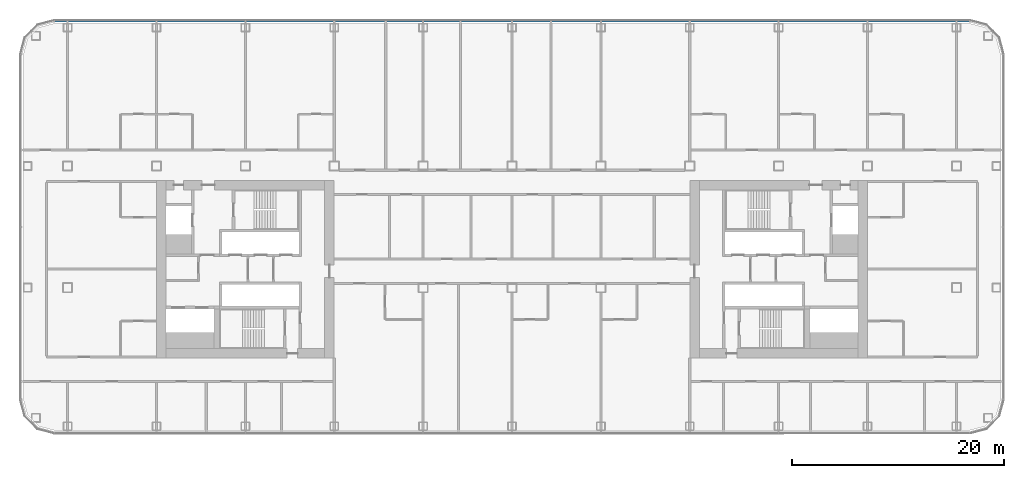
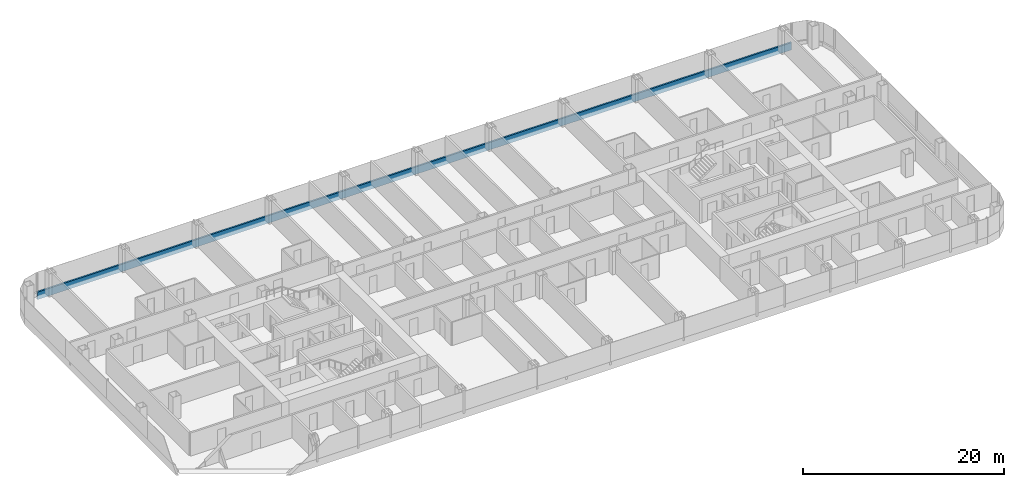
# One storey, part 9 of 29: 1 member, 1 element without a shape of its own.
"""IFC4 building model written with IfcOpenShell, lengths in metres."""

import ifcopenshell
import ifcopenshell.guid

model = None  # the IFC model being written
_history = None  # IfcOwnerHistory: only IFC2X3 demands one
_inside = {}  # id of a spatial element -> (the spatial element, [elements in it])
_under = {}  # id of a project, library or spatial element -> (it, [spatial elements below it])
_declared = {}  # id of a project -> (the project, [libraries it declares])
_typed = {}  # id of a type object -> (the type object, [elements of that type])
_made_of = {}  # id of a material, layer set ... -> (it, [elements and type objects made of it])


def new_model(schema):
    """Start an empty IFC model of exactly this schema.

    Asked for "IFC4X3", IfcOpenShell would pick the latest addendum, in which some entities
    have other attributes; the version numbers below select the first issue.
    IFC2X3 requires an IfcOwnerHistory on every rooted entity: one is made here for all.
    """
    global model, _history
    if schema == "IFC4X3":
        model = ifcopenshell.file(schema_version=(4, 3, 0, 0))
    else:
        model = ifcopenshell.file(schema=schema)
    _inside.clear()
    _under.clear()
    _declared.clear()
    _typed.clear()
    _made_of.clear()
    _history = None
    if model.schema == "IFC2X3":
        org = make("IfcOrganization", Name="unknown")
        user = make(
            "IfcPersonAndOrganization",
            ThePerson=make("IfcPerson", FamilyName="unknown"),
            TheOrganization=org,
        )
        app = make(
            "IfcApplication",
            ApplicationDeveloper=org,
            Version="unknown",
            ApplicationFullName="unknown",
            ApplicationIdentifier="unknown",
        )
        _history = make(
            "IfcOwnerHistory",
            OwningUser=user,
            OwningApplication=app,
            ChangeAction="ADDED",
            CreationDate=0,
        )
    return model


def make(cls, **values):
    """One entity of the class cls with the attributes given. An attribute that is None is left unset."""
    return model.create_entity(
        cls, **{name: value for name, value in values.items() if value is not None}
    )


def rooted(cls, **values):
    """An entity with a GlobalId (a new one), such as an element, a storey or a relation."""
    return make(cls, GlobalId=ifcopenshell.guid.new(), OwnerHistory=_history, **values)


def si_unit(unit_type, name, prefix=None):
    """IfcSIUnit, for example si_unit("LENGTHUNIT", "METRE", prefix="MILLI")."""
    return make("IfcSIUnit", UnitType=unit_type, Prefix=prefix, Name=name)


def assignment(units):
    """IfcUnitAssignment: the units of a project."""
    return None if units is None else make("IfcUnitAssignment", Units=units)


def point(xyz):
    """IfcCartesianPoint."""
    return None if xyz is None else make("IfcCartesianPoint", Coordinates=xyz)


def direction(xyz):
    """IfcDirection."""
    return None if xyz is None else make("IfcDirection", DirectionRatios=xyz)


def frame(location, z_axis=None, x_axis=None):
    """IfcAxis2Placement3D, a coordinate frame: its origin and axes. An axis left out is left unset."""
    return make(
        "IfcAxis2Placement3D",
        Location=point(location),
        Axis=direction(z_axis),
        RefDirection=direction(x_axis),
    )


def frame_2d(location, x_axis=None):
    """IfcAxis2Placement2D, a coordinate frame in the plane: its origin and x axis."""
    return make(
        "IfcAxis2Placement2D", Location=point(location), RefDirection=direction(x_axis)
    )


def origin():
    """The frame at (0, 0, 0) with its axes left unset."""
    return frame((0.0, 0.0, 0.0))


def origin_2d():
    """The frame at (0, 0) in the plane with its x axis left unset."""
    return frame_2d((0.0, 0.0))


def place(relative_to, where):
    """IfcLocalPlacement: puts the frame where relative to a parent placement (None: the world)."""
    return make(
        "IfcLocalPlacement", PlacementRelTo=relative_to, RelativePlacement=where
    )


def context(
    kind, dimensions, precision=None, world=None, true_north=None, identifier=None
):
    """IfcGeometricRepresentationContext, for example the 3D "Model" context."""
    return make(
        "IfcGeometricRepresentationContext",
        ContextIdentifier=identifier,
        ContextType=kind,
        CoordinateSpaceDimension=dimensions,
        Precision=precision,
        WorldCoordinateSystem=world,
        TrueNorth=true_north,
    )


def subcontext(parent, identifier, kind, view, scale=None):
    """IfcGeometricRepresentationSubContext, for example "Body" below "Model"."""
    return make(
        "IfcGeometricRepresentationSubContext",
        ContextIdentifier=identifier,
        ContextType=kind,
        ParentContext=parent,
        TargetScale=scale,
        TargetView=view,
    )


def project(units=None, contexts=None):
    """IfcProject with its units and contexts."""
    return rooted(
        "IfcProject",
        Name="project",
        RepresentationContexts=contexts,
        UnitsInContext=assignment(units),
    )


def spatial(cls, under=None, at=None, **own):
    """A site, building, storey or space (cls), placed at a placement, below another one or the project."""
    s = rooted(cls, ObjectPlacement=at, **own)
    if under is not None:
        _under.setdefault(under.id(), (under, []))[1].append(s)
    return s


def profile(cls, at=None, kind="AREA", **sizes):
    """A parametric profile (cls). Its sizes go by their IFC names, for example OverallWidth=200.0."""
    return make(cls, ProfileType=kind, Position=at, **sizes)


def rectangle(**sizes):
    """IfcRectangleProfileDef."""
    return profile("IfcRectangleProfileDef", **sizes)


def extrude(swept, where, along, depth):
    """IfcExtrudedAreaSolid: the profile swept, set in the frame where, extruded along a direction by depth."""
    return make(
        "IfcExtrudedAreaSolid",
        SweptArea=swept,
        Position=where,
        ExtrudedDirection=direction(along),
        Depth=depth,
    )


def shape(context_of_items, identifier, shape_type, items):
    """IfcShapeRepresentation: the items that make up one representation, for example the "Body"."""
    return make(
        "IfcShapeRepresentation",
        ContextOfItems=context_of_items,
        RepresentationIdentifier=identifier,
        RepresentationType=shape_type,
        Items=items,
    )


def material(Name=None, Category=None):
    """IfcMaterial."""
    return make("IfcMaterial", Name=Name, Category=Category)


def layer(
    of_material, thickness, ventilated=None, Name=None, Category=None, Priority=None
):
    """IfcMaterialLayer: one layer of a wall or slab, of a material (None: an air gap)."""
    return make(
        "IfcMaterialLayer",
        Material=of_material,
        LayerThickness=thickness,
        IsVentilated=ventilated,
        Name=Name,
        Category=Category,
        Priority=Priority,
    )


def layer_set(layers, Name=None):
    """IfcMaterialLayerSet."""
    return make("IfcMaterialLayerSet", MaterialLayers=layers, LayerSetName=Name)


def material_profile(
    of_material, cross_section, Name=None, Category=None, Priority=None
):
    """IfcMaterialProfile: a cross section and its material."""
    return make(
        "IfcMaterialProfile",
        Name=Name,
        Material=of_material,
        Profile=cross_section,
        Priority=Priority,
        Category=Category,
    )


def profile_set(profiles, Name=None, composite=None):
    """IfcMaterialProfileSet."""
    return make(
        "IfcMaterialProfileSet",
        Name=Name,
        MaterialProfiles=profiles,
        CompositeProfile=composite,
    )


def made_of(thing, what):
    """Note that an element or type object is made of a material, layer set ...; save() writes the relation."""
    if what is not None:
        _made_of.setdefault(what.id(), (what, []))[1].append(thing)
    return thing


def type_object(cls, material=None, **own):
    """A type object (cls), such as IfcWallType, which elements share."""
    return made_of(rooted(cls, **own), material)


def element(
    cls,
    number,
    at=None,
    inside=None,
    cuts=None,
    type_object=None,
    material=None,
    context=None,
    identifier="Body",
    shape_type=None,
    held_by="IfcProductDefinitionShape",
    body=None,
    shapes=None,
    **own,
):
    """One element of the class cls, such as IfcWall. Its Tag is "e" and its number.

    at: its placement. inside: the storey or other place that contains it. cuts: it is an
    opening in that element (IfcRelVoidsElement). A single representation is given by context,
    identifier, shape_type and body (its items); several are given by shapes. held_by: the class
    of the entity that holds the representations. save() writes the other relations.
    """
    e = rooted(cls, Tag="e%d" % number, ObjectPlacement=at, **own)
    if body is not None:
        shapes = [shape(context, identifier, shape_type, body)]
    if shapes is not None:
        e.Representation = make(held_by, Representations=shapes)
    if inside is not None:
        _inside.setdefault(inside.id(), (inside, []))[1].append(e)
    if cuts is not None:
        rooted(
            "IfcRelVoidsElement", RelatingBuildingElement=cuts, RelatedOpeningElement=e
        )
    if type_object is not None:
        _typed.setdefault(type_object.id(), (type_object, []))[1].append(e)
    return made_of(e, material)


def aggregate(whole, parts):
    """IfcRelAggregates: a whole, such as a stair, and the parts it consists of."""
    return rooted("IfcRelAggregates", RelatingObject=whole, RelatedObjects=parts)


def save(model, path):
    """Write the relations noted so far, then the file.

    IfcRelAggregates (storeys below a building ...), IfcRelContainedInSpatialStructure (elements
    in a storey), IfcRelDefinesByType, IfcRelAssociatesMaterial and IfcRelDeclares: one each for
    every whole, place, type object, material and project.
    """
    for whole, parts in _under.values():
        aggregate(whole, parts)
    for where, things in _inside.values():
        rooted(
            "IfcRelContainedInSpatialStructure",
            RelatedElements=things,
            RelatingStructure=where,
        )
    for kind, things in _typed.values():
        rooted("IfcRelDefinesByType", RelatedObjects=things, RelatingType=kind)
    for what, things in _made_of.values():
        rooted("IfcRelAssociatesMaterial", RelatedObjects=things, RelatingMaterial=what)
    for by, libraries in _declared.values():
        rooted("IfcRelDeclares", RelatingContext=by, RelatedDefinitions=libraries)
    model.write(path)


model = new_model("IFC4")

# Units and contexts
model_context = context("Model", 3, precision=1e-05, world=origin(), true_north=direction((0.0, 1.0)))
body_context = subcontext(model_context, "Body", "Model", "MODEL_VIEW")
ifc_project = project(units=[si_unit("LENGTHUNIT", "METRE"), si_unit("AREAUNIT", "SQUARE_METRE"), si_unit("VOLUMEUNIT", "CUBIC_METRE"), si_unit("PLANEANGLEUNIT", "RADIAN"), si_unit("MASSUNIT", "GRAM", prefix="KILO")], contexts=[model_context])

# Site, building, storey
site_placement = place(None, origin())
site = spatial("IfcSite", under=ifc_project, at=site_placement, CompositionType="ELEMENT")
building_placement = place(site_placement, origin())
building = spatial("IfcBuilding", under=site, at=building_placement, Name="Hakoniwa Tower and Hamabe Station Hall", CompositionType="ELEMENT")
storey_placement = place(building_placement, frame((0.0, 0.0, 75.39990234375)))
storey = spatial("IfcBuildingStorey", under=building, at=storey_placement, Name="L20", CompositionType="ELEMENT", Elevation=75.39990234375)

# Curtain wall, member
ifc_material_1 = material(Name="Dark low-e laminated glass", Category="glass")
ifc_layer = layer(ifc_material_1, 0.199951171875)
ifc_layer_set = layer_set([ifc_layer], Name="CW-1 UNITISED GUEST")
curtain_wall_type = type_object("IfcCurtainWallType", Name="CW-1 UNITISED GUEST", PredefinedType="NOTDEFINED", material=ifc_layer_set)
curtain_wall_placement = place(storey_placement, origin())
curtain_wall = element("IfcCurtainWall", 1, at=curtain_wall_placement, inside=storey, type_object=curtain_wall_type, Name="CW-1 curtain wall", PredefinedType="NOTDEFINED")
ifc_material_2 = material(Name="Aluminium 6063-T5 black anodised", Category="aluminium")
ifc_material_profile = material_profile(ifc_material_2, rectangle(XDim=0.199951171875, YDim=0.89990234375, at=origin_2d()), Name="CW SLAB-EDGE BAND 900X200")
ifc_profile_set = profile_set([ifc_material_profile], Name="Aluminium 6063-T5 black anodised")
member_type = type_object("IfcMemberType", Name="CW SLAB-EDGE BAND 900X200", PredefinedType="USERDEFINED", material=ifc_profile_set)
member_placement = place(storey_placement, frame((43.239501953125, 23.449951171875, -0.099853515625), z_axis=(-1.0, 0.0, 0.0), x_axis=(0.0, -1.0, 0.0)))
member = element("IfcMember", 2, at=member_placement, type_object=member_type, Name="CW-1 transom", ObjectType="TRANSOM", PredefinedType="USERDEFINED", context=body_context, shape_type="SweptSolid", body=[
    extrude(rectangle(XDim=0.199951171875, YDim=0.89990234375, at=origin_2d()), origin(), (0.0, 0.0, 1.0), 86.47900390625),
])
aggregate(curtain_wall, [member])

save(model, "model.ifc")
